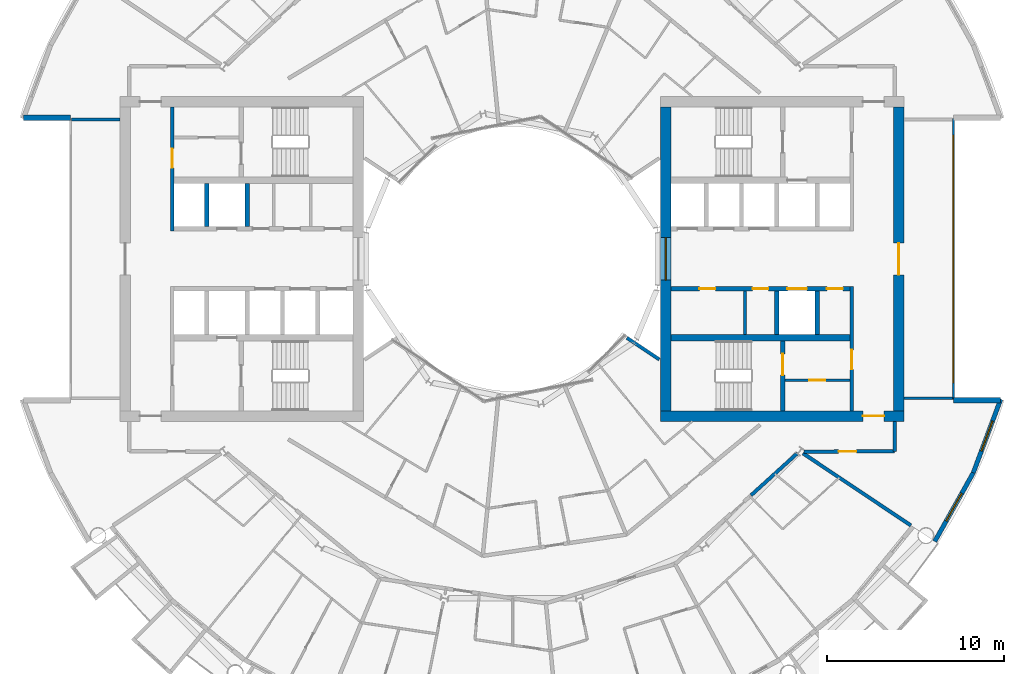
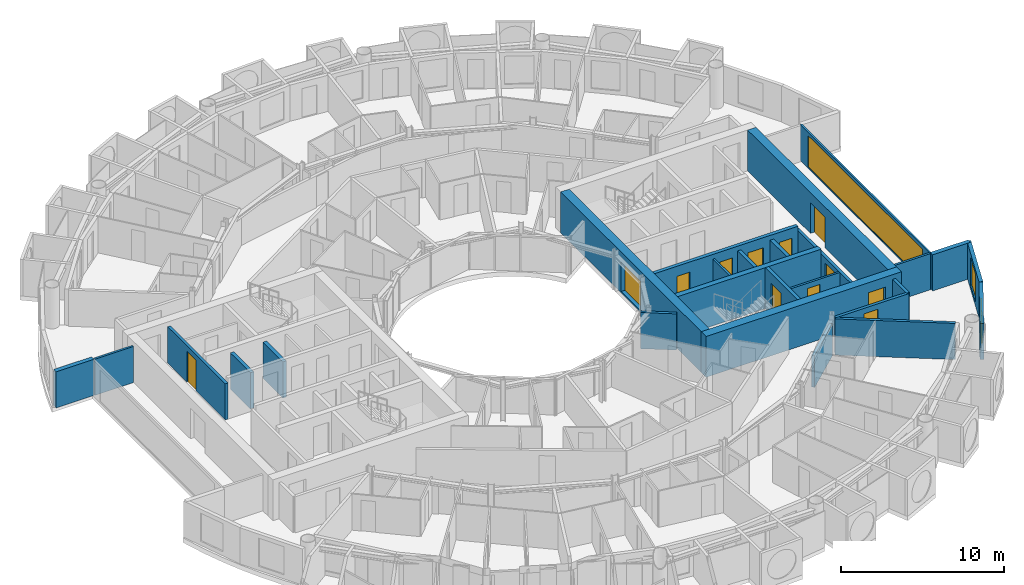
# One storey, part 18 of 28: 26 walls, 11 doors, 4 windows, 15 openings.
"""IFC4 building model written with IfcOpenShell, lengths in metres."""

from ifc_helpers import new_model, si_unit, direction, frame, frame_2d, origin, place, context, subcontext, project, spatial, rectangle, extrude, material, layer, layer_set, type_object, element, fill, save


model = new_model("IFC4")

# Units and contexts
model_context = context("Model", 3, precision=1e-05, world=origin(), true_north=direction((0.0, 1.0)))
body_context = subcontext(model_context, "Body", "Model", "MODEL_VIEW")
ifc_project = project(units=[si_unit("LENGTHUNIT", "METRE"), si_unit("AREAUNIT", "SQUARE_METRE"), si_unit("VOLUMEUNIT", "CUBIC_METRE"), si_unit("PLANEANGLEUNIT", "RADIAN"), si_unit("MASSUNIT", "GRAM", prefix="KILO")], contexts=[model_context])

# Site, building, storey
site_placement = place(None, origin())
site = spatial("IfcSite", under=ifc_project, at=site_placement, CompositionType="ELEMENT")
building_placement = place(site_placement, origin())
building = spatial("IfcBuilding", under=site, at=building_placement, Name="Maasbend Ring Residences", CompositionType="ELEMENT")
storey_placement = place(building_placement, frame((0.0, 0.0, 129.949951171875)))
storey = spatial("IfcBuildingStorey", under=building, at=storey_placement, Name="L37", CompositionType="ELEMENT", Elevation=129.949951171875)

# Wall, openings, doors
ifc_material_1 = material(Name="Concrete C60/75", Category="concrete")
ifc_layer_1 = layer(ifc_material_1, 0.25)
ifc_layer_set_1 = layer_set([ifc_layer_1], Name="Concrete C60/75")
wall_type_1 = type_object("IfcWallType", Name="CORE WALL 250 C60/75", PredefinedType="SHEAR", material=ifc_layer_set_1)
wall_1_placement = place(storey_placement, frame((19.14990234375, -1.699951171875, 0.0), z_axis=(0.0, 0.0, 1.0), x_axis=(-1.0, 0.0, 0.0)))
wall_1 = element("IfcWall", 1, at=wall_1_placement, inside=storey, type_object=wall_type_1, Name="L37 core E wall SPS", PredefinedType="SHEAR", context=body_context, shape_type="SweptSolid", body=[
    extrude(rectangle(XDim=10.14990234375, YDim=0.25, at=frame_2d((5.074951171875, 0.0))), origin(), (0.0, 0.0, 1.0), 3.050048828125),
])
opening_1_placement = place(wall_1_placement, frame((2.449951171875, 0.0, 0.0)))
opening_1 = element("IfcOpeningElement", 2, at=opening_1_placement, cuts=wall_1, Name="Opening LD-E3705", PredefinedType="OPENING", context=body_context, shape_type="SweptSolid", body=[
    extrude(rectangle(XDim=1.10009765625, YDim=2.300048828125, at=frame_2d((0.550048828125, 1.14990234375))), frame((0.0, 0.135009765625, 0.0), z_axis=(0.0, -1.0, 0.0), x_axis=(1.0, 0.0, 0.0)), (0.0, 0.0, 1.0), 0.27001953125),
])
opening_2_placement = place(wall_1_placement, frame((7.637451171875, 0.0, 0.0)))
opening_2 = element("IfcOpeningElement", 3, at=opening_2_placement, cuts=wall_1, Name="Opening D-E3706", PredefinedType="OPENING", context=body_context, shape_type="SweptSolid", body=[
    extrude(rectangle(XDim=0.89990234375, YDim=2.300048828125, at=frame_2d((0.449951171875, 1.14990234375))), frame((0.0, 0.135009765625, 0.0), z_axis=(0.0, -1.0, 0.0), x_axis=(1.0, 0.0, 0.0)), (0.0, 0.0, 1.0), 0.27001953125),
])
opening_3_placement = place(wall_1_placement, frame((4.625, 0.0, 0.0)))
opening_3 = element("IfcOpeningElement", 4, at=opening_3_placement, cuts=wall_1, Name="Opening D-E3707", PredefinedType="OPENING", context=body_context, shape_type="SweptSolid", body=[
    extrude(rectangle(XDim=0.89990234375, YDim=2.300048828125, at=frame_2d((0.449951171875, 1.14990234375))), frame((0.0, 0.135009765625, 0.0), z_axis=(0.0, -1.0, 0.0), x_axis=(1.0, 0.0, 0.0)), (0.0, 0.0, 1.0), 0.27001953125),
])
opening_4_placement = place(wall_1_placement, frame((0.41259765625, 0.0, 0.0)))
opening_4 = element("IfcOpeningElement", 5, at=opening_4_placement, cuts=wall_1, Name="Opening D-E3708", PredefinedType="OPENING", context=body_context, shape_type="SweptSolid", body=[
    extrude(rectangle(XDim=0.89990234375, YDim=2.300048828125, at=frame_2d((0.449951171875, 1.14990234375))), frame((0.0, 0.135009765625, 0.0), z_axis=(0.0, -1.0, 0.0), x_axis=(1.0, 0.0, 0.0)), (0.0, 0.0, 1.0), 0.27001953125),
])
ifc_material_2 = material(Name="Stainless steel 316", Category="steel")
door_type_1 = type_object("IfcDoorType", Name="LANDING DOOR 1100 X 2300 FD60", OperationType="DOUBLE_DOOR_SLIDING", PredefinedType="DOOR", material=ifc_material_2)
door_1_placement = place(opening_1_placement, origin())
door_1 = element("IfcDoor", 6, at=door_1_placement, inside=storey, type_object=door_type_1, Name="Landing door SV-E L37", OperationType="DOUBLE_DOOR_SLIDING", OverallHeight=2.300048828125, OverallWidth=1.10009765625, PredefinedType="DOOR", context=body_context, shape_type="SweptSolid", body=[
    extrude(rectangle(XDim=1.10009765625, YDim=2.300048828125, at=frame_2d((0.550048828125, 1.14990234375))), frame((0.0, 0.02490234375, 0.0), z_axis=(0.0, -1.0, 0.0), x_axis=(1.0, 0.0, 0.0)), (0.0, 0.0, 1.0), 0.050048828125),
])
fill(opening_1, door_1)
ifc_material_3 = material(Name="Steel, powder coated", Category="steel")
door_type_2 = type_object("IfcDoorType", Name="ROOM DOOR 900 X 2300 FD30S", OperationType="NOTDEFINED", PredefinedType="DOOR", material=ifc_material_3)
door_2_placement = place(opening_2_placement, origin())
door_2 = element("IfcDoor", 7, at=door_2_placement, inside=storey, type_object=door_type_2, Name="Room door L37", OperationType="SINGLE_SWING_LEFT", OverallHeight=2.300048828125, OverallWidth=0.89990234375, PredefinedType="DOOR", context=body_context, shape_type="SweptSolid", body=[
    extrude(rectangle(XDim=0.89990234375, YDim=2.300048828125, at=frame_2d((0.449951171875, 1.14990234375))), frame((0.0, 0.02490234375, 0.0), z_axis=(0.0, -1.0, 0.0), x_axis=(1.0, 0.0, 0.0)), (0.0, 0.0, 1.0), 0.050048828125),
])
fill(opening_2, door_2)
door_3_placement = place(opening_3_placement, origin())
door_3 = element("IfcDoor", 8, at=door_3_placement, inside=storey, type_object=door_type_2, Name="Room door L37", OperationType="SINGLE_SWING_LEFT", OverallHeight=2.300048828125, OverallWidth=0.89990234375, PredefinedType="DOOR", context=body_context, shape_type="SweptSolid", body=[
    extrude(rectangle(XDim=0.89990234375, YDim=2.300048828125, at=frame_2d((0.449951171875, 1.14990234375))), frame((0.0, 0.02490234375, 0.0), z_axis=(0.0, -1.0, 0.0), x_axis=(1.0, 0.0, 0.0)), (0.0, 0.0, 1.0), 0.050048828125),
])
fill(opening_3, door_3)
door_4_placement = place(opening_4_placement, origin())
door_4 = element("IfcDoor", 9, at=door_4_placement, inside=storey, type_object=door_type_2, Name="Room door L37", OperationType="SINGLE_SWING_RIGHT", OverallHeight=2.300048828125, OverallWidth=0.89990234375, PredefinedType="DOOR", context=body_context, shape_type="SweptSolid", body=[
    extrude(rectangle(XDim=0.89990234375, YDim=2.300048828125, at=frame_2d((0.449951171875, 1.14990234375))), frame((0.0, 0.02490234375, 0.0), z_axis=(0.0, -1.0, 0.0), x_axis=(1.0, 0.0, 0.0)), (0.0, 0.0, 1.0), 0.050048828125),
])
fill(opening_4, door_4)

# Wall, opening, door
wall_2_placement = place(storey_placement, frame((15.324951171875, -8.60009765625, 0.0), z_axis=(0.0, 0.0, 1.0), x_axis=(0.0, 1.0, 0.0)))
wall_2 = element("IfcWall", 10, at=wall_2_placement, inside=storey, type_object=wall_type_1, Name="L37 core E wall STES", PredefinedType="SHEAR", context=body_context, shape_type="SweptSolid", body=[
    extrude(rectangle(XDim=3.9501953125, YDim=0.25, at=frame_2d((1.97509765625, 0.0))), origin(), (0.0, 0.0, 1.0), 3.050048828125),
])
opening_5_placement = place(wall_2_placement, frame((2.02490234375, 0.0, 0.0)))
opening_5 = element("IfcOpeningElement", 11, at=opening_5_placement, cuts=wall_2, Name="Opening D-E3711", PredefinedType="OPENING", context=body_context, shape_type="SweptSolid", body=[
    extrude(rectangle(XDim=1.199951171875, YDim=2.300048828125, at=frame_2d((0.60009765625, 1.14990234375))), frame((0.0, 0.135009765625, 0.0), z_axis=(0.0, -1.0, 0.0), x_axis=(1.0, 0.0, 0.0)), (0.0, 0.0, 1.0), 0.27001953125),
])
ifc_material_4 = material(Name="Steel, powder coated", Category="steel")
door_type_3 = type_object("IfcDoorType", Name="STAIR DOOR 1200 X 2300 FD60", OperationType="NOTDEFINED", PredefinedType="DOOR", material=ifc_material_4)
door_5_placement = place(opening_5_placement, origin())
door_5 = element("IfcDoor", 12, at=door_5_placement, inside=storey, type_object=door_type_3, Name="Stair door ST-E L37", OperationType="SINGLE_SWING_LEFT", OverallHeight=2.300048828125, OverallWidth=1.199951171875, PredefinedType="DOOR", context=body_context, shape_type="SweptSolid", body=[
    extrude(rectangle(XDim=1.199951171875, YDim=2.300048828125, at=frame_2d((0.60009765625, 1.14990234375))), frame((0.0, 0.02490234375, 0.0), z_axis=(0.0, -1.0, 0.0), x_axis=(1.0, 0.0, 0.0)), (0.0, 0.0, 1.0), 0.050048828125),
])
fill(opening_5, door_5)

# Wall
ifc_material_5 = material(Name="Concrete C60/75", Category="concrete")
ifc_layer_2 = layer(ifc_material_5, 0.375)
ifc_layer_set_2 = layer_set([ifc_layer_2], Name="Concrete C60/75")
wall_type_2 = type_object("IfcWallType", Name="CORE WALL 375 C60/75", PredefinedType="SHEAR", material=ifc_layer_set_2)
wall_3_placement = place(storey_placement, frame((9.0, -4.46240234375, 0.0), z_axis=(0.0, 0.0, 1.0), x_axis=(1.0, 0.0, 0.0)))
element("IfcWall", 13, at=wall_3_placement, inside=storey, type_object=wall_type_2, Name="L37 core E wall BS", PredefinedType="SHEAR", context=body_context, shape_type="SweptSolid", body=[
    extrude(rectangle(XDim=10.14990234375, YDim=0.375, at=frame_2d((5.074951171875, 0.0))), origin(), (0.0, 0.0, 1.0), 3.050048828125),
])

# Wall, opening, door
ifc_material_6 = material(Name="Concrete C60/75", Category="concrete")
ifc_layer_3 = layer(ifc_material_6, 0.60009765625)
ifc_layer_set_3 = layer_set([ifc_layer_3], Name="Concrete C60/75")
wall_type_3 = type_object("IfcWallType", Name="CORE WALL 600 C60/75", PredefinedType="SHEAR", material=ifc_layer_set_3)
wall_4_placement = place(storey_placement, frame((8.39990234375, -8.89990234375, 0.0), z_axis=(0.0, 0.0, 1.0), x_axis=(1.0, 0.0, 0.0)))
wall_4 = element("IfcWall", 14, at=wall_4_placement, inside=storey, type_object=wall_type_3, Name="L37 core E wall PS", PredefinedType="SHEAR", context=body_context, shape_type="SweptSolid", body=[
    extrude(rectangle(XDim=13.800048828125, YDim=0.60009765625, at=frame_2d((6.89990234375, 0.0))), origin(), (0.0, 0.0, 1.0), 3.050048828125),
])
opening_6_placement = place(wall_4_placement, frame((11.47509765625, 0.0, 0.0)))
opening_6 = element("IfcOpeningElement", 15, at=opening_6_placement, cuts=wall_4, Name="Opening D-E3715", PredefinedType="OPENING", context=body_context, shape_type="SweptSolid", body=[
    extrude(rectangle(XDim=1.199951171875, YDim=2.300048828125, at=frame_2d((0.60009765625, 1.14990234375))), frame((0.0, 0.31005859375, 0.0), z_axis=(0.0, -1.0, 0.0), x_axis=(1.0, 0.0, 0.0)), (0.0, 0.0, 1.0), 0.6201171875),
])
ifc_material_7 = material(Name="Steel, powder coated", Category="steel")
door_type_4 = type_object("IfcDoorType", Name="CORRIDOR DOOR 1200 X 2300 FD30S", OperationType="NOTDEFINED", PredefinedType="DOOR", material=ifc_material_7)
door_6_placement = place(opening_6_placement, origin())
door_6 = element("IfcDoor", 16, at=door_6_placement, inside=storey, type_object=door_type_4, Name="Corridor door L37", OperationType="SINGLE_SWING_LEFT", OverallHeight=2.300048828125, OverallWidth=1.199951171875, PredefinedType="DOOR", context=body_context, shape_type="SweptSolid", body=[
    extrude(rectangle(XDim=1.199951171875, YDim=2.300048828125, at=frame_2d((0.60009765625, 1.14990234375))), frame((0.0, 0.02490234375, 0.0), z_axis=(0.0, -1.0, 0.0), x_axis=(1.0, 0.0, 0.0)), (0.0, 0.0, 1.0), 0.050048828125),
])
fill(opening_6, door_6)

wall_5_placement = place(storey_placement, frame((21.89990234375, 8.60009765625, 0.0), z_axis=(0.0, 0.0, 1.0), x_axis=(0.0, -1.0, 0.0)))
wall_5 = element("IfcWall", 17, at=wall_5_placement, inside=storey, type_object=wall_type_3, Name="L37 core E wall POUT", PredefinedType="SHEAR", context=body_context, shape_type="SweptSolid", body=[
    extrude(rectangle(XDim=17.2001953125, YDim=0.60009765625, at=frame_2d((8.60009765625, 0.0))), origin(), (0.0, 0.0, 1.0), 3.050048828125),
])
opening_7_placement = place(wall_5_placement, frame((7.699951171875, 0.0, 0.0)))
opening_7 = element("IfcOpeningElement", 18, at=opening_7_placement, cuts=wall_5, Name="Opening D-E3716", PredefinedType="OPENING", context=body_context, shape_type="SweptSolid", body=[
    extrude(rectangle(XDim=1.800048828125, YDim=2.300048828125, at=frame_2d((0.89990234375, 1.14990234375))), frame((0.0, 0.31005859375, 0.0), z_axis=(0.0, -1.0, 0.0), x_axis=(1.0, 0.0, 0.0)), (0.0, 0.0, 1.0), 0.6201171875),
])
ifc_material_8 = material(Name="Aluminium frame, clear glass", Category="aluminium")
door_type_5 = type_object("IfcDoorType", Name="ENTRANCE DOOR 1800 X 2300 FD60", OperationType="NOTDEFINED", PredefinedType="DOOR", material=ifc_material_8)
door_7_placement = place(opening_7_placement, origin())
door_7 = element("IfcDoor", 19, at=door_7_placement, inside=storey, type_object=door_type_5, Name="Lobby glazed door L37", OperationType="SINGLE_SWING_LEFT", OverallHeight=2.300048828125, OverallWidth=1.800048828125, PredefinedType="DOOR", context=body_context, shape_type="SweptSolid", body=[
    extrude(rectangle(XDim=1.800048828125, YDim=2.300048828125, at=frame_2d((0.89990234375, 1.14990234375))), frame((0.0, 0.02490234375, 0.0), z_axis=(0.0, -1.0, 0.0), x_axis=(1.0, 0.0, 0.0)), (0.0, 0.0, 1.0), 0.050048828125),
])
fill(opening_7, door_7)

# Wall, opening, window
wall_6_placement = place(storey_placement, frame((8.699951171875, -8.60009765625, 0.0), z_axis=(0.0, 0.0, 1.0), x_axis=(0.0, 1.0, 0.0)))
wall_6 = element("IfcWall", 20, at=wall_6_placement, inside=storey, type_object=wall_type_3, Name="L37 core E wall PIN", PredefinedType="SHEAR", context=body_context, shape_type="SweptSolid", body=[
    extrude(rectangle(XDim=17.2001953125, YDim=0.60009765625, at=frame_2d((8.60009765625, 0.0))), origin(), (0.0, 0.0, 1.0), 3.050048828125),
])
opening_8_placement = place(wall_6_placement, frame((7.39990234375, 0.0, 0.10009765625)))
opening_8 = element("IfcOpeningElement", 21, at=opening_8_placement, cuts=wall_6, Name="Opening W-E3701", PredefinedType="OPENING", context=body_context, shape_type="SweptSolid", body=[
    extrude(rectangle(XDim=2.39990234375, YDim=2.199951171875, at=frame_2d((1.199951171875, 1.10009765625))), frame((0.0, 0.31005859375, 0.0), z_axis=(0.0, -1.0, 0.0), x_axis=(1.0, 0.0, 0.0)), (0.0, 0.0, 1.0), 0.6201171875),
])
ifc_material_9 = material(Name="Aluminium frame and clear glass", Category="aluminium")
window_type_1 = type_object("IfcWindowType", Name="FIXED WINDOW 2400 X 2200", PartitioningType="SINGLE_PANEL", PredefinedType="WINDOW", material=ifc_material_9)
window_1_placement = place(opening_8_placement, origin())
window_1 = element("IfcWindow", 22, at=window_1_placement, inside=storey, type_object=window_type_1, Name="Lobby window L37", OverallHeight=2.199951171875, OverallWidth=2.39990234375, PartitioningType="SINGLE_PANEL", PredefinedType="WINDOW", context=body_context, shape_type="SweptSolid", body=[
    extrude(rectangle(XDim=2.39990234375, YDim=2.199951171875, at=frame_2d((1.199951171875, 1.10009765625))), frame((0.0, 0.030029296875, 0.0), z_axis=(0.0, -1.0, 0.0), x_axis=(1.0, 0.0, 0.0)), (0.0, 0.0, 1.0), 0.06005859375),
])
fill(opening_8, window_1)

# Walls
ifc_material_10 = material(Name="Concrete C30/37", Category="concrete")
ifc_layer_4 = layer(ifc_material_10, 0.199951171875)
ifc_layer_set_4 = layer_set([ifc_layer_4], Name="Concrete C30/37")
wall_type_4 = type_object("IfcWallType", Name="CORRIDOR WALL 200 CONCRETE", PredefinedType="PARTITIONING", material=ifc_layer_set_4)
wall_7_placement = place(storey_placement, frame((21.675048828125, -10.89990234375, 0.0), z_axis=(0.0, 0.0, 1.0), x_axis=(0.0, 1.0, 0.0)))
element("IfcWall", 23, at=wall_7_placement, inside=storey, type_object=wall_type_4, Name="U-L37-w003", PredefinedType="PARTITIONING", context=body_context, shape_type="SweptSolid", body=[
    extrude(rectangle(XDim=1.699951171875, YDim=0.199951171875, at=frame_2d((0.85009765625, 0.0))), origin(), (0.0, 0.0, 1.0), 2.699951171875),
])
wall_8_placement = place(storey_placement, frame((13.544921875, -13.384033203125, 0.0), z_axis=(0.0, 0.0, 1.0), x_axis=(0.740607766684, 0.671937598239, 0.0)))
element("IfcWall", 24, at=wall_8_placement, inside=storey, type_object=wall_type_4, Name="U-L37-w014", PredefinedType="PARTITIONING", context=body_context, shape_type="SweptSolid", body=[
    extrude(rectangle(XDim=3.55517578125, YDim=0.199951171875, at=frame_2d((1.777587890625, 0.0))), origin(), (0.0, 0.0, 1.0), 2.39013671875),
])

# Wall, opening, door
wall_9_placement = place(storey_placement, frame((16.5400390625, -10.9130859375, 0.0), z_axis=(0.0, 0.0, 1.0), x_axis=(0.99999670426, 0.002567385634, 0.0)))
wall_9 = element("IfcWall", 25, at=wall_9_placement, inside=storey, type_object=wall_type_4, Name="U-L37-w026", PredefinedType="PARTITIONING", context=body_context, shape_type="SweptSolid", body=[
    extrude(rectangle(XDim=5.135009765625, YDim=0.199951171875, at=frame_2d((2.5673828125, 0.0))), origin(), (0.0, 0.0, 1.0), 2.699951171875),
])
opening_9_placement = place(wall_9_placement, frame((1.965087890625, 0.0, 0.0)))
opening_9 = element("IfcOpeningElement", 26, at=opening_9_placement, cuts=wall_9, Name="Opening D-3773", PredefinedType="OPENING", context=body_context, shape_type="SweptSolid", body=[
    extrude(rectangle(XDim=1.0, YDim=2.300048828125, at=frame_2d((0.5, 1.14990234375))), frame((0.0, 0.10986328125, 0.0), z_axis=(0.0, -1.0, 0.0), x_axis=(1.0, 0.0, 0.0)), (0.0, 0.0, 1.0), 0.219970703125),
])
ifc_material_11 = material(Name="Timber, painted", Category="wood")
door_type_6 = type_object("IfcDoorType", Name="ROOM DOOR 1000 X 2300", OperationType="NOTDEFINED", PredefinedType="DOOR", material=ifc_material_11)
door_8_placement = place(opening_9_placement, origin())
door_8 = element("IfcDoor", 27, at=door_8_placement, inside=storey, type_object=door_type_6, Name="D-3773", OperationType="SINGLE_SWING_LEFT", OverallHeight=2.300048828125, OverallWidth=1.0, PredefinedType="DOOR", context=body_context, shape_type="SweptSolid", body=[
    extrude(rectangle(XDim=1.0, YDim=2.300048828125, at=frame_2d((0.5, 1.14990234375))), frame((0.0, 0.02490234375, 0.0), z_axis=(0.0, -1.0, 0.0), x_axis=(1.0, 0.0, 0.0)), (0.0, 0.0, 1.0), 0.050048828125),
])
fill(opening_9, door_8)

# Wall, opening, window
ifc_material_12 = material(Name="Aluminium clad insulated panel", Category="aluminium")
ifc_layer_5 = layer(ifc_material_12, 0.25)
ifc_layer_set_5 = layer_set([ifc_layer_5], Name="EW-HORN")
wall_type_5 = type_object("IfcWallType", Name="EW-HORN", PredefinedType="SOLIDWALL", material=ifc_layer_set_5)
wall_10_placement = place(storey_placement, frame((23.946044921875, -16.0, 0.0), z_axis=(0.0, 0.0, 1.0), x_axis=(0.489696356642, 0.871893042919, 0.0)))
wall_10 = element("IfcWall", 28, at=wall_10_placement, inside=storey, type_object=wall_type_5, Name="Horn wall 2.1", PredefinedType="SOLIDWALL", context=body_context, shape_type="SweptSolid", body=[
    extrude(rectangle(XDim=4.45361328125, YDim=0.25, at=frame_2d((2.226806640625, 0.0))), origin(), (0.0, 0.0, 1.0), 2.699951171875),
])
opening_10_placement = place(wall_10_placement, frame((1.32666015625, 0.0, 0.300048828125)))
opening_10 = element("IfcOpeningElement", 29, at=opening_10_placement, cuts=wall_10, Name="Opening W-BX", PredefinedType="OPENING", context=body_context, shape_type="SweptSolid", body=[
    extrude(rectangle(XDim=1.800048828125, YDim=2.10009765625, at=frame_2d((0.89990234375, 1.050048828125))), frame((0.0, 0.135009765625, 0.0), z_axis=(0.0, -1.0, 0.0), x_axis=(1.0, 0.0, 0.0)), (0.0, 0.0, 1.0), 0.27001953125),
])
ifc_material_13 = material(Name="Aluminium and clear glass", Category="aluminium")
window_type_2 = type_object("IfcWindowType", Name="W-BX", PartitioningType="DOUBLE_PANEL_VERTICAL", PredefinedType="WINDOW", material=ifc_material_13)
window_2_placement = place(opening_10_placement, origin())
window_2 = element("IfcWindow", 30, at=window_2_placement, inside=storey, type_object=window_type_2, Name="Horn window 2.1", OverallHeight=2.10009765625, OverallWidth=1.800048828125, PartitioningType="SINGLE_PANEL", PredefinedType="WINDOW", context=body_context, shape_type="SweptSolid", body=[
    extrude(rectangle(XDim=1.800048828125, YDim=2.10009765625, at=frame_2d((0.89990234375, 1.050048828125))), frame((0.0, 0.030029296875, 0.0), z_axis=(0.0, -1.0, 0.0), x_axis=(1.0, 0.0, 0.0)), (0.0, 0.0, 1.0), 0.06005859375),
])
fill(opening_10, window_2)

wall_11_placement = place(storey_placement, frame((26.126953125, -12.116943359375, 0.0), z_axis=(0.0, 0.0, 1.0), x_axis=(0.349247811493, 0.937030397675, 0.0)))
wall_11 = element("IfcWall", 31, at=wall_11_placement, inside=storey, type_object=wall_type_5, Name="Horn wall 2.2", PredefinedType="SOLIDWALL", context=body_context, shape_type="SweptSolid", body=[
    extrude(rectangle(XDim=4.4521484375, YDim=0.25, at=frame_2d((2.22607421875, 0.0))), origin(), (0.0, 0.0, 1.0), 2.699951171875),
])
opening_11_placement = place(wall_11_placement, frame((1.32666015625, 0.0, 0.300048828125)))
opening_11 = element("IfcOpeningElement", 32, at=opening_11_placement, cuts=wall_11, Name="Opening W-BX", PredefinedType="OPENING", context=body_context, shape_type="SweptSolid", body=[
    extrude(rectangle(XDim=1.800048828125, YDim=2.10009765625, at=frame_2d((0.89990234375, 1.050048828125))), frame((0.0, 0.135009765625, 0.0), z_axis=(0.0, -1.0, 0.0), x_axis=(1.0, 0.0, 0.0)), (0.0, 0.0, 1.0), 0.27001953125),
])
window_3_placement = place(opening_11_placement, origin())
window_3 = element("IfcWindow", 33, at=window_3_placement, inside=storey, type_object=window_type_2, Name="Horn window 2.2", OverallHeight=2.10009765625, OverallWidth=1.800048828125, PartitioningType="SINGLE_PANEL", PredefinedType="WINDOW", context=body_context, shape_type="SweptSolid", body=[
    extrude(rectangle(XDim=1.800048828125, YDim=2.10009765625, at=frame_2d((0.89990234375, 1.050048828125))), frame((0.0, 0.030029296875, 0.0), z_axis=(0.0, -1.0, 0.0), x_axis=(1.0, 0.0, 0.0)), (0.0, 0.0, 1.0), 0.06005859375),
])
fill(opening_11, window_3)

# Walls
ifc_material_14 = material(Name="Aluminium clad insulated panel", Category="aluminium")
ifc_layer_6 = layer(ifc_material_14, 0.300048828125)
ifc_layer_set_6 = layer_set([ifc_layer_6], Name="EW-RET")
wall_type_6 = type_object("IfcWallType", Name="EW-RET", PredefinedType="SOLIDWALL", material=ifc_layer_set_6)
for number, where, z_axis, x_axis, name in (
    (34, (25.0, -8.0, 0.0), (0.0, 0.0, 1.0), (1.0, 0.0, 0.0), "Notch return wall east south"),
    (35, (-25.0, 8.0, 0.0), (0.0, 0.0, 1.0), (-1.0, 0.0, 0.0), "Notch return wall west north"),
):
    element("IfcWall", number, at=place(storey_placement, frame(where, z_axis=z_axis, x_axis=x_axis)), inside=storey, type_object=wall_type_6, Name=name, PredefinedType="SOLIDWALL", context=body_context, shape_type="SweptSolid", body=[
        extrude(rectangle(XDim=2.6669921875, YDim=0.300048828125, at=frame_2d((1.33349609375, 0.0))), origin(), (0.0, 0.0, 1.0), 2.699951171875),
    ])

# Wall, opening, window
ifc_material_15 = material(Name="Aluminium frame and clear glass", Category="aluminium")
ifc_layer_7 = layer(ifc_material_15, 0.1201171875)
ifc_layer_set_7 = layer_set([ifc_layer_7], Name="GLAZED SCREEN WALL 120 EI 60")
wall_type_7 = type_object("IfcWallType", Name="GLAZED SCREEN WALL 120 EI 60", PredefinedType="PARTITIONING", material=ifc_layer_set_7)
wall_12_placement = place(storey_placement, frame((25.0, -7.949951171875, 0.0), z_axis=(0.0, 0.0, 1.0), x_axis=(0.0, 1.0, 0.0)))
wall_12 = element("IfcWall", 36, at=wall_12_placement, inside=storey, type_object=wall_type_7, Name="L37 core E wall FACE", PredefinedType="PARTITIONING", context=body_context, shape_type="SweptSolid", body=[
    extrude(rectangle(XDim=15.89990234375, YDim=0.1201171875, at=frame_2d((7.949951171875, 0.0))), origin(), (0.0, 0.0, 1.0), 2.699951171875),
])
opening_12_placement = place(wall_12_placement, frame((0.949951171875, 0.0, 0.10009765625)))
opening_12 = element("IfcOpeningElement", 37, at=opening_12_placement, cuts=wall_12, Name="Opening W-E3702", PredefinedType="OPENING", context=body_context, shape_type="SweptSolid", body=[
    extrude(rectangle(XDim=14.0, YDim=2.35009765625, at=frame_2d((7.0, 1.175048828125))), frame((0.0, 0.070068359375, 0.0), z_axis=(0.0, -1.0, 0.0), x_axis=(1.0, 0.0, 0.0)), (0.0, 0.0, 1.0), 0.14013671875),
])
ifc_material_16 = material(Name="Aluminium frame and clear glass", Category="aluminium")
window_type_3 = type_object("IfcWindowType", Name="FIXED WINDOW 14000 X 2350", PartitioningType="SINGLE_PANEL", PredefinedType="WINDOW", material=ifc_material_16)
window_4_placement = place(opening_12_placement, origin())
window_4 = element("IfcWindow", 38, at=window_4_placement, inside=storey, type_object=window_type_3, Name="Lobby window L37", OverallHeight=2.35009765625, OverallWidth=14.0, PartitioningType="SINGLE_PANEL", PredefinedType="WINDOW", context=body_context, shape_type="SweptSolid", body=[
    extrude(rectangle(XDim=14.0, YDim=2.35009765625, at=frame_2d((7.0, 1.175048828125))), frame((0.0, 0.030029296875, 0.0), z_axis=(0.0, -1.0, 0.0), x_axis=(1.0, 0.0, 0.0)), (0.0, 0.0, 1.0), 0.06005859375),
])
fill(opening_12, window_4)

# Wall
ifc_material_17 = material(Name="Gypsum board on steel studs", Category="steel")
ifc_layer_8 = layer(ifc_material_17, 0.14990234375)
ifc_layer_set_8 = layer_set([ifc_layer_8], Name="PARTITION 150 EI 60")
wall_type_8 = type_object("IfcWallType", Name="PARTITION 150 EI 60", PredefinedType="PARTITIONING", material=ifc_layer_set_8)
wall_13_placement = place(storey_placement, frame((13.199951171875, -1.824951171875, 0.0), z_axis=(0.0, 0.0, 1.0), x_axis=(0.0, -1.0, 0.0)))
element("IfcWall", 39, at=wall_13_placement, inside=storey, type_object=wall_type_8, Name="L37 core E wall PRS1320", PredefinedType="PARTITIONING", context=body_context, shape_type="SweptSolid", body=[
    extrude(rectangle(XDim=2.449951171875, YDim=0.14990234375, at=frame_2d((1.22509765625, 0.0))), origin(), (0.0, 0.0, 1.0), 2.699951171875),
])

# Wall, opening, door
wall_14_placement = place(storey_placement, frame((15.449951171875, -6.875, 0.0), z_axis=(0.0, 0.0, 1.0), x_axis=(1.0, 0.0, 0.0)))
wall_14 = element("IfcWall", 40, at=wall_14_placement, inside=storey, type_object=wall_type_8, Name="L37 core E wall RHS", PredefinedType="PARTITIONING", context=body_context, shape_type="SweptSolid", body=[
    extrude(rectangle(XDim=3.699951171875, YDim=0.14990234375, at=frame_2d((1.85009765625, 0.0))), origin(), (0.0, 0.0, 1.0), 2.699951171875),
])
opening_13_placement = place(wall_14_placement, frame((1.39990234375, 0.0, 0.0)))
opening_13 = element("IfcOpeningElement", 41, at=opening_13_placement, cuts=wall_14, Name="Opening D-E3709", PredefinedType="OPENING", context=body_context, shape_type="SweptSolid", body=[
    extrude(rectangle(XDim=0.89990234375, YDim=2.300048828125, at=frame_2d((0.449951171875, 1.14990234375))), frame((0.0, 0.0849609375, 0.0), z_axis=(0.0, -1.0, 0.0), x_axis=(1.0, 0.0, 0.0)), (0.0, 0.0, 1.0), 0.169921875),
])
ifc_material_18 = material(Name="Steel, powder coated", Category="steel")
door_type_7 = type_object("IfcDoorType", Name="RISER DOOR 900 X 2300 FD60", OperationType="NOTDEFINED", PredefinedType="DOOR", material=ifc_material_18)
door_9_placement = place(opening_13_placement, origin())
door_9 = element("IfcDoor", 42, at=door_9_placement, inside=storey, type_object=door_type_7, Name="Riser door L37", OperationType="SINGLE_SWING_LEFT", OverallHeight=2.300048828125, OverallWidth=0.89990234375, PredefinedType="DOOR", context=body_context, shape_type="SweptSolid", body=[
    extrude(rectangle(XDim=0.89990234375, YDim=2.300048828125, at=frame_2d((0.449951171875, 1.14990234375))), frame((0.0, 0.02490234375, 0.0), z_axis=(0.0, -1.0, 0.0), x_axis=(1.0, 0.0, 0.0)), (0.0, 0.0, 1.0), 0.050048828125),
])
fill(opening_13, door_9)

# Walls
for number, where, z_axis, x_axis, name in (
    (43, (22.199951171875, -7.89990234375, 0.0), (0.0, 0.0, 1.0), (1.0, 0.0, 0.0), "L37 core E wall CITS"),
    (44, (-22.199951171875, 7.89990234375, 0.0), (0.0, 0.0, 1.0), (-1.0, 0.0, 0.0), "L37 core W wall CITS"),
):
    element("IfcWall", number, at=place(storey_placement, frame(where, z_axis=z_axis, x_axis=x_axis)), inside=storey, type_object=wall_type_8, Name=name, PredefinedType="PARTITIONING", context=body_context, shape_type="SweptSolid", body=[
        extrude(rectangle(XDim=2.739990234375, YDim=0.14990234375, at=frame_2d((1.3701171875, 0.0))), origin(), (0.0, 0.0, 1.0), 2.699951171875),
    ])
ifc_material_19 = material(Name="Concrete C30/37", Category="concrete")
ifc_layer_9 = layer(ifc_material_19, 0.199951171875)
ifc_layer_set_9 = layer_set([ifc_layer_9], Name="Concrete C30/37")
wall_type_9 = type_object("IfcWallType", Name="PARTY WALL 200 CONCRETE", PredefinedType="PARTITIONING", material=ifc_layer_set_9)
wall_15_placement = place(storey_placement, frame((6.512939453125, -4.471923828125, 0.0), z_axis=(0.0, 0.0, 1.0), x_axis=(0.831333375071, -0.555774072347, 0.0)))
element("IfcWall", 45, at=wall_15_placement, inside=storey, type_object=wall_type_9, Name="U-L37-w028", PredefinedType="PARTITIONING", context=body_context, shape_type="SweptSolid", body=[
    extrude(rectangle(XDim=2.20263671875, YDim=0.199951171875, at=frame_2d((1.101318359375, 0.0))), origin(), (0.0, 0.0, 1.0), 2.699951171875),
])
wall_16_placement = place(storey_placement, frame((16.47705078125, -11.009033203125, 0.0), z_axis=(0.0, 0.0, 1.0), x_axis=(0.831467903109, -0.555572791, 0.0)))
element("IfcWall", 46, at=wall_16_placement, inside=storey, type_object=wall_type_9, Name="U-L37-w094", PredefinedType="PARTITIONING", context=body_context, shape_type="SweptSolid", body=[
    extrude(rectangle(XDim=7.35791015625, YDim=0.199951171875, at=frame_2d((3.678955078125, 0.0))), origin(), (0.0, 0.0, 1.0), 2.699951171875),
])

# Wall, opening, door
ifc_material_20 = material(Name="Concrete C30/37", Category="concrete")
ifc_layer_10 = layer(ifc_material_20, 0.199951171875)
ifc_layer_set_10 = layer_set([ifc_layer_10], Name="Concrete C30/37")
wall_type_10 = type_object("IfcWallType", Name="SHAFT WALL 200 EI 120", PredefinedType="SOLIDWALL", material=ifc_layer_set_10)
wall_17_placement = place(storey_placement, frame((19.25, -8.60009765625, 0.0), z_axis=(0.0, 0.0, 1.0), x_axis=(0.0, 1.0, 0.0)))
wall_17 = element("IfcWall", 47, at=wall_17_placement, inside=storey, type_object=wall_type_10, Name="L37 core E wall ENDS", PredefinedType="SOLIDWALL", context=body_context, shape_type="SweptSolid", body=[
    extrude(rectangle(XDim=7.025146484375, YDim=0.199951171875, at=frame_2d((3.5126953125, 0.0))), origin(), (0.0, 0.0, 1.0), 2.699951171875),
])
opening_14_placement = place(wall_17_placement, frame((2.35009765625, 0.0, 0.0)))
opening_14 = element("IfcOpeningElement", 48, at=opening_14_placement, cuts=wall_17, Name="Opening D-E3713", PredefinedType="OPENING", context=body_context, shape_type="SweptSolid", body=[
    extrude(rectangle(XDim=1.10009765625, YDim=2.300048828125, at=frame_2d((0.550048828125, 1.14990234375))), frame((0.0, 0.10986328125, 0.0), z_axis=(0.0, -1.0, 0.0), x_axis=(1.0, 0.0, 0.0)), (0.0, 0.0, 1.0), 0.219970703125),
])
ifc_material_21 = material(Name="Steel, powder coated", Category="steel")
door_type_8 = type_object("IfcDoorType", Name="LOBBY DOOR 1100 X 2300 FD60", OperationType="NOTDEFINED", PredefinedType="DOOR", material=ifc_material_21)
door_10_placement = place(opening_14_placement, origin())
door_10 = element("IfcDoor", 49, at=door_10_placement, inside=storey, type_object=door_type_8, Name="Lobby door L37", OperationType="SINGLE_SWING_RIGHT", OverallHeight=2.300048828125, OverallWidth=1.10009765625, PredefinedType="DOOR", context=body_context, shape_type="SweptSolid", body=[
    extrude(rectangle(XDim=1.10009765625, YDim=2.300048828125, at=frame_2d((0.550048828125, 1.14990234375))), frame((0.0, 0.02490234375, 0.0), z_axis=(0.0, -1.0, 0.0), x_axis=(1.0, 0.0, 0.0)), (0.0, 0.0, 1.0), 0.050048828125),
])
fill(opening_14, door_10)

wall_18_placement = place(storey_placement, frame((-19.25, 8.60009765625, 0.0), z_axis=(0.0, 0.0, 1.0), x_axis=(0.0, -1.0, 0.0)))
wall_18 = element("IfcWall", 50, at=wall_18_placement, inside=storey, type_object=wall_type_10, Name="L37 core W wall ENDS", PredefinedType="SOLIDWALL", context=body_context, shape_type="SweptSolid", body=[
    extrude(rectangle(XDim=7.025146484375, YDim=0.199951171875, at=frame_2d((3.5126953125, 0.0))), origin(), (0.0, 0.0, 1.0), 2.699951171875),
])
opening_15_placement = place(wall_18_placement, frame((2.35009765625, 0.0, 0.0)))
opening_15 = element("IfcOpeningElement", 51, at=opening_15_placement, cuts=wall_18, Name="Opening D-W3713", PredefinedType="OPENING", context=body_context, shape_type="SweptSolid", body=[
    extrude(rectangle(XDim=1.10009765625, YDim=2.300048828125, at=frame_2d((0.550048828125, 1.14990234375))), frame((0.0, 0.10986328125, 0.0), z_axis=(0.0, -1.0, 0.0), x_axis=(1.0, 0.0, 0.0)), (0.0, 0.0, 1.0), 0.219970703125),
])
door_11_placement = place(opening_15_placement, origin())
door_11 = element("IfcDoor", 52, at=door_11_placement, inside=storey, type_object=door_type_8, Name="Lobby door L37", OperationType="SINGLE_SWING_RIGHT", OverallHeight=2.300048828125, OverallWidth=1.10009765625, PredefinedType="DOOR", context=body_context, shape_type="SweptSolid", body=[
    extrude(rectangle(XDim=1.10009765625, YDim=2.300048828125, at=frame_2d((0.550048828125, 1.14990234375))), frame((0.0, 0.02490234375, 0.0), z_axis=(0.0, -1.0, 0.0), x_axis=(1.0, 0.0, 0.0)), (0.0, 0.0, 1.0), 0.050048828125),
])
fill(opening_15, door_11)

# Walls
ifc_material_22 = material(Name="Concrete C30/37", Category="concrete")
ifc_layer_11 = layer(ifc_material_22, 0.25)
ifc_layer_set_11 = layer_set([ifc_layer_11], Name="Concrete C30/37")
wall_type_11 = type_object("IfcWallType", Name="SHAFT WALL 250 EI 120", PredefinedType="SOLIDWALL", material=ifc_layer_set_11)
for number, where, z_axis, x_axis, name in (
    (53, (15.0, -1.824951171875, 0.0), (0.0, 0.0, 1.0), (0.0, -1.0, 0.0), "L37 core E wall D150S"),
    (54, (17.300048828125, -1.824951171875, 0.0), (0.0, 0.0, 1.0), (0.0, -1.0, 0.0), "L37 core E wall D173S"),
    (55, (-15.0, 1.824951171875, 0.0), (0.0, 0.0, 1.0), (0.0, 1.0, 0.0), "L37 core W wall D150S"),
    (56, (-17.300048828125, 1.824951171875, 0.0), (0.0, 0.0, 1.0), (0.0, 1.0, 0.0), "L37 core W wall D173S"),
):
    element("IfcWall", number, at=place(storey_placement, frame(where, z_axis=z_axis, x_axis=x_axis)), inside=storey, type_object=wall_type_11, Name=name, PredefinedType="SOLIDWALL", context=body_context, shape_type="SweptSolid", body=[
        extrude(rectangle(XDim=2.449951171875, YDim=0.25, at=frame_2d((1.22509765625, 0.0))), origin(), (0.0, 0.0, 1.0), 2.699951171875),
    ])

save(model, "model.ifc")
